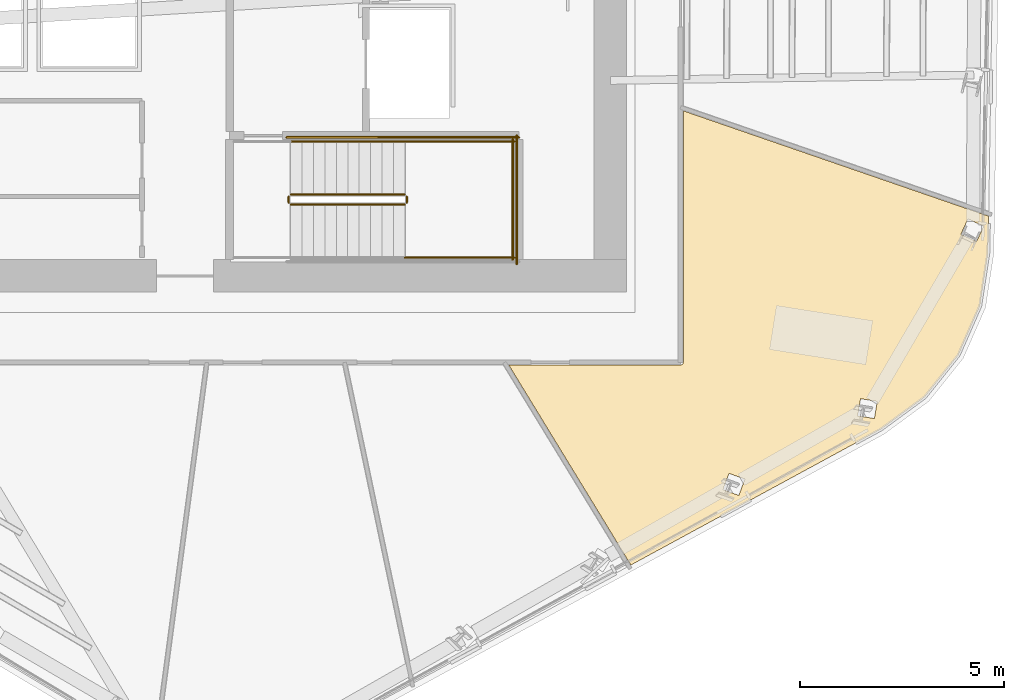
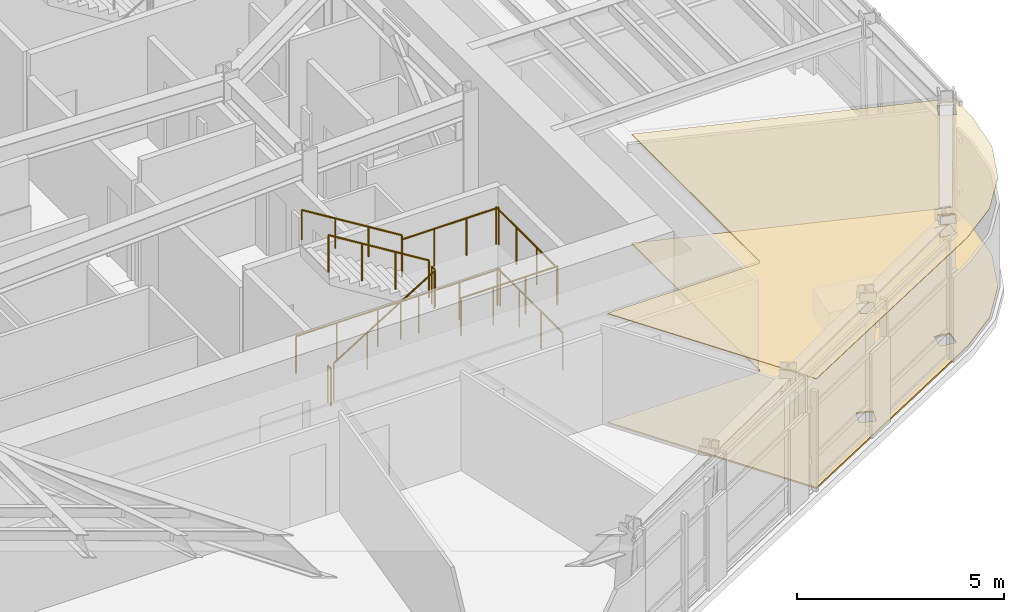
# One storey, part 10 of 14: 10 railings, 2 coverings.
"""IFC4 building model written with IfcOpenShell, lengths in metres."""

from ifc_helpers import new_model, si_unit, direction, frame, origin, origin_2d, place, context, subcontext, project, spatial, polyline, circle, outline, extrude, material, layer, layer_set, type_object, element, save


model = new_model("IFC4")

# Units and contexts
model_context = context("Model", 3, precision=1e-05, world=origin(), true_north=direction((0.0, 1.0)))
body_context = subcontext(model_context, "Body", "Model", "MODEL_VIEW")
ifc_project = project(units=[si_unit("LENGTHUNIT", "METRE"), si_unit("AREAUNIT", "SQUARE_METRE"), si_unit("VOLUMEUNIT", "CUBIC_METRE"), si_unit("PLANEANGLEUNIT", "RADIAN"), si_unit("MASSUNIT", "GRAM", prefix="KILO")], contexts=[model_context])

# Site, building, storey
site_placement = place(None, origin())
site = spatial("IfcSite", under=ifc_project, at=site_placement, CompositionType="ELEMENT")
building_placement = place(site_placement, origin())
building = spatial("IfcBuilding", under=site, at=building_placement, Name="Valkerne Bourse Tower", CompositionType="ELEMENT")
storey_placement = place(building_placement, frame((0.0, 0.0, 147.60009765625)))
storey = spatial("IfcBuildingStorey", under=building, at=storey_placement, Name="L37", CompositionType="ELEMENT", Elevation=147.60009765625)

# Coverings
ifc_material_1 = material(Name="Mineral Fiber Acoustic Ceiling Tile", Category="acoustic")
ifc_layer_1 = layer(ifc_material_1, 0.02490234375)
ifc_layer_set_1 = layer_set([ifc_layer_1], Name="Mineral Fiber Acoustic Ceiling Tile")
covering_type_1 = type_object("IfcCoveringType", Name="COV-CEIL-ACT", PredefinedType="CEILING", material=ifc_layer_set_1)
covering_1_placement = place(storey_placement, frame((0.0, 0.0, 3.22998046875)))
element("IfcCovering", 1, at=covering_1_placement, inside=storey, type_object=covering_type_1, Name="L37 Suspended Ceiling 08", PredefinedType="CEILING", context=body_context, shape_type="SweptSolid", body=[
    extrude(outline(polyline([(63.71826171875, 15.224365234375), (62.6474609375, 14.43798828125), (56.50244140625, 11.100830078125), (53.50537109375, 16.010986328125), (57.720458984375, 16.010986328125), (57.75, 16.017822265625), (57.77587890625, 16.039306640625), (57.7890625, 16.079345703125), (57.7890625, 22.254150390625), (65.288818359375, 19.66748046875), (65.274658203125, 18.77587890625), (65.07373046875, 17.46240234375), (64.54345703125, 16.254150390625), (63.71826171875, 15.224365234375)]), holes=[polyline([(59.1552734375, 12.81103515625), (59.301025390625, 13.208984375), (58.91259765625, 13.352294921875), (58.91064453125, 13.3505859375), (58.764892578125, 12.952880859375), (59.1533203125, 12.809326171875), (59.1552734375, 12.81103515625)]), polyline([(62.552001953125, 15.117919921875), (62.1435546875, 15.185791015625), (62.141845703125, 15.18359375), (62.073486328125, 14.765625), (62.48193359375, 14.69775390625), (62.483642578125, 14.699951171875), (62.552001953125, 15.117919921875)]), polyline([(65.165283203125, 19.423095703125), (64.77880859375, 19.599365234375), (64.607421875, 19.223388671875), (64.606201171875, 19.220947265625), (64.99267578125, 19.044677734375), (65.1640625, 19.42041015625), (65.165283203125, 19.423095703125)])]), origin(), (0.0, 0.0, 1.0), 0.02490234375),
])
ifc_material_2 = material(Name="Galvanised Painted Steel", Category="steel")
ifc_layer_2 = layer(ifc_material_2, 0.044921875)
ifc_layer_set_2 = layer_set([ifc_layer_2], Name="Galvanised Painted Steel")
covering_type_2 = type_object("IfcCoveringType", Name="COV-FLR-RAF", PredefinedType="FLOORING", material=ifc_layer_set_2)
covering_2_placement = place(storey_placement, origin())
element("IfcCovering", 2, at=covering_2_placement, inside=storey, type_object=covering_type_2, Name="L37 Floor Finish 08", PredefinedType="FLOORING", context=body_context, shape_type="SweptSolid", body=[
    extrude(outline(polyline([(63.71826171875, 15.224365234375), (62.6474609375, 14.43798828125), (56.50244140625, 11.100830078125), (53.50537109375, 16.010986328125), (57.720458984375, 16.010986328125), (57.75, 16.017822265625), (57.77587890625, 16.039306640625), (57.7890625, 16.079345703125), (57.7890625, 22.254150390625), (65.288818359375, 19.66748046875), (65.274658203125, 18.77587890625), (65.07373046875, 17.46240234375), (64.54345703125, 16.254150390625), (63.71826171875, 15.224365234375)]), holes=[polyline([(59.1552734375, 12.81103515625), (59.301025390625, 13.208984375), (58.91259765625, 13.352294921875), (58.91064453125, 13.3505859375), (58.764892578125, 12.952880859375), (59.1533203125, 12.809326171875), (59.1552734375, 12.81103515625)]), polyline([(62.552001953125, 15.117919921875), (62.1435546875, 15.185791015625), (62.141845703125, 15.18359375), (62.073486328125, 14.765625), (62.48193359375, 14.69775390625), (62.483642578125, 14.699951171875), (62.552001953125, 15.117919921875)]), polyline([(65.165283203125, 19.423095703125), (64.77880859375, 19.599365234375), (64.607421875, 19.223388671875), (64.606201171875, 19.220947265625), (64.99267578125, 19.044677734375), (65.1640625, 19.42041015625), (65.165283203125, 19.423095703125)])]), origin(), (0.0, 0.0, 1.0), 0.044921875),
])

# Railings
railing_type_1 = type_object("IfcRailingType", Name="RLG-ST-GUARD-1120", PredefinedType="GUARDRAIL", material=ifc_material_2)
railing_1_placement = place(storey_placement, frame((48.14990234375, 19.949951171875, 0.172607421875)))
element("IfcRailing", 3, at=railing_1_placement, inside=storey, type_object=railing_type_1, Name="L37 ST-1 stair guard 1", PredefinedType="GUARDRAIL", context=body_context, shape_type="SweptSolid", body=[
    extrude(circle(Radius=0.02392578125, at=origin_2d()), frame((0.0, 0.0, 1.09619140625), z_axis=(0.851089632645, 0.0, 0.525020415988), x_axis=(0.0, 1.0, 0.0)), (0.0, 0.0, 1.0), 3.2900390625),
    extrude(circle(Radius=0.02099609375, at=origin_2d()), origin(), (0.0, 0.0, 1.0), 1.072021484375),
    extrude(circle(Radius=0.02099609375, at=origin_2d()), frame((0.933349609375, 0.0, 0.57568359375)), (0.0, 0.0, 1.0), 1.072021484375),
    extrude(circle(Radius=0.02099609375, at=origin_2d()), frame((1.86669921875, 0.0, 1.151611328125)), (0.0, 0.0, 1.0), 1.072021484375),
    extrude(circle(Radius=0.02099609375, at=origin_2d()), frame((2.800048828125, 0.0, 1.727294921875)), (0.0, 0.0, 1.0), 1.072021484375),
])
railing_2_placement = place(storey_placement, frame((51.0, 20.0, 1.89990234375)))
element("IfcRailing", 4, at=railing_2_placement, inside=storey, type_object=railing_type_1, Name="L37 ST-1 stair guard 2", PredefinedType="GUARDRAIL", context=body_context, shape_type="SweptSolid", body=[
    extrude(circle(Radius=0.02392578125, at=origin_2d()), frame((0.0, 0.0, 1.09619140625), z_axis=(0.0, 1.0, 0.0), x_axis=(-1.0, 0.0, 0.0)), (0.0, 0.0, 1.0), 0.14990234375),
    extrude(circle(Radius=0.02099609375, at=origin_2d()), origin(), (0.0, 0.0, 1.0), 1.072021484375),
    extrude(circle(Radius=0.02099609375, at=origin_2d()), frame((0.0, 0.14990234375, 0.0)), (0.0, 0.0, 1.0), 1.072021484375),
])
for number, where, name in (
    (5, (50.949951171875, 18.64990234375, 1.89990234375), "L37 ST-1 stair guard 3"),
    (6, (50.949951171875, 21.5, 1.89990234375), "L37 ST-1 stair guard 4"),
):
    element("IfcRailing", number, at=place(storey_placement, frame(where)), inside=storey, type_object=railing_type_1, Name=name, PredefinedType="GUARDRAIL", context=body_context, shape_type="SweptSolid", body=[
        extrude(circle(Radius=0.02392578125, at=origin_2d()), frame((0.0, 0.0, 1.09619140625), z_axis=(1.0, 0.0, 0.0), x_axis=(0.0, 1.0, 0.0)), (0.0, 0.0, 1.0), 2.699951171875),
        extrude(circle(Radius=0.02099609375, at=origin_2d()), origin(), (0.0, 0.0, 1.0), 1.072021484375),
        extrude(circle(Radius=0.02099609375, at=origin_2d()), frame((0.89990234375, 0.0, 0.0)), (0.0, 0.0, 1.0), 1.072021484375),
        extrude(circle(Radius=0.02099609375, at=origin_2d()), frame((1.800048828125, 0.0, 0.0)), (0.0, 0.0, 1.0), 1.072021484375),
        extrude(circle(Radius=0.02099609375, at=origin_2d()), frame((2.699951171875, 0.0, 0.0)), (0.0, 0.0, 1.0), 1.072021484375),
    ])
railing_3_placement = place(storey_placement, frame((53.60009765625, 18.60009765625, 1.89990234375)))
element("IfcRailing", 7, at=railing_3_placement, inside=storey, type_object=railing_type_1, Name="L37 ST-1 stair guard 5", PredefinedType="GUARDRAIL", context=body_context, shape_type="SweptSolid", body=[
    extrude(circle(Radius=0.02392578125, at=origin_2d()), frame((0.0, 0.0, 1.09619140625), z_axis=(0.0, 1.0, 0.0), x_axis=(-1.0, 0.0, 0.0)), (0.0, 0.0, 1.0), 2.949951171875),
    extrude(circle(Radius=0.02099609375, at=origin_2d()), origin(), (0.0, 0.0, 1.0), 1.072021484375),
    extrude(circle(Radius=0.02099609375, at=origin_2d()), frame((0.0, 0.9833984375, 0.0)), (0.0, 0.0, 1.0), 1.072021484375),
    extrude(circle(Radius=0.02099609375, at=origin_2d()), frame((0.0, 1.966552734375, 0.0)), (0.0, 0.0, 1.0), 1.072021484375),
    extrude(circle(Radius=0.02099609375, at=origin_2d()), frame((0.0, 2.949951171875, 0.0)), (0.0, 0.0, 1.0), 1.072021484375),
])
railing_4_placement = place(storey_placement, frame((50.949951171875, 20.199951171875, 2.072509765625)))
element("IfcRailing", 8, at=railing_4_placement, inside=storey, type_object=railing_type_1, Name="L37 ST-1 stair guard 6", PredefinedType="GUARDRAIL", context=body_context, shape_type="SweptSolid", body=[
    extrude(circle(Radius=0.02392578125, at=origin_2d()), frame((0.0, 0.0, 1.09619140625), z_axis=(-0.851089632645, 0.0, 0.525020415988), x_axis=(0.0, -1.0, 0.0)), (0.0, 0.0, 1.0), 3.2900390625),
    extrude(circle(Radius=0.02099609375, at=origin_2d()), origin(), (0.0, 0.0, 1.0), 1.072021484375),
    extrude(circle(Radius=0.02099609375, at=origin_2d()), frame((-0.933349609375, 0.0, 0.57568359375)), (0.0, 0.0, 1.0), 1.072021484375),
    extrude(circle(Radius=0.02099609375, at=origin_2d()), frame((-1.86669921875, 0.0, 1.151611328125)), (0.0, 0.0, 1.0), 1.072021484375),
    extrude(circle(Radius=0.02099609375, at=origin_2d()), frame((-2.800048828125, 0.0, 1.727294921875)), (0.0, 0.0, 1.0), 1.072021484375),
])
railing_5_placement = place(storey_placement, frame((48.10009765625, 20.0, 0.0)))
element("IfcRailing", 9, at=railing_5_placement, inside=storey, type_object=railing_type_1, Name="L37 ST-1 stair guard 7", PredefinedType="GUARDRAIL", context=body_context, shape_type="SweptSolid", body=[
    extrude(circle(Radius=0.02392578125, at=origin_2d()), frame((0.0, 0.0, 1.09619140625), z_axis=(0.0, 1.0, 0.0), x_axis=(-1.0, 0.0, 0.0)), (0.0, 0.0, 1.0), 0.14990234375),
    extrude(circle(Radius=0.02099609375, at=origin_2d()), origin(), (0.0, 0.0, 1.0), 1.072021484375),
    extrude(circle(Radius=0.02099609375, at=origin_2d()), frame((0.0, 0.14990234375, 0.0)), (0.0, 0.0, 1.0), 1.072021484375),
])
railing_6_placement = place(storey_placement, frame((48.050048828125, 21.60009765625, 0.0)))
element("IfcRailing", 10, at=railing_6_placement, inside=storey, type_object=railing_type_1, Name="L37 ST-1 stair guard 11", PredefinedType="GUARDRAIL", context=body_context, shape_type="SweptSolid", body=[
    extrude(circle(Radius=0.02392578125, at=origin_2d()), frame((0.0, 0.0, 1.09619140625), z_axis=(1.0, 0.0, 0.0), x_axis=(0.0, 1.0, 0.0)), (0.0, 0.0, 1.0), 5.699951171875),
    extrude(circle(Radius=0.02099609375, at=origin_2d()), origin(), (0.0, 0.0, 1.0), 1.072021484375),
    extrude(circle(Radius=0.02099609375, at=origin_2d()), frame((1.139892578125, 0.0, 0.0)), (0.0, 0.0, 1.0), 1.072021484375),
    extrude(circle(Radius=0.02099609375, at=origin_2d()), frame((2.280029296875, 0.0, 0.0)), (0.0, 0.0, 1.0), 1.072021484375),
    extrude(circle(Radius=0.02099609375, at=origin_2d()), frame((3.419921875, 0.0, 0.0)), (0.0, 0.0, 1.0), 1.072021484375),
    extrude(circle(Radius=0.02099609375, at=origin_2d()), frame((4.56005859375, 0.0, 0.0)), (0.0, 0.0, 1.0), 1.072021484375),
    extrude(circle(Radius=0.02099609375, at=origin_2d()), frame((5.699951171875, 0.0, 0.0)), (0.0, 0.0, 1.0), 1.072021484375),
])
railing_7_placement = place(storey_placement, frame((53.699951171875, 18.5, 0.0)))
element("IfcRailing", 11, at=railing_7_placement, inside=storey, type_object=railing_type_1, Name="L37 ST-1 stair guard 12", PredefinedType="GUARDRAIL", context=body_context, shape_type="SweptSolid", body=[
    extrude(circle(Radius=0.02392578125, at=origin_2d()), frame((0.0, 0.0, 1.09619140625), z_axis=(0.0, 1.0, 0.0), x_axis=(-1.0, 0.0, 0.0)), (0.0, 0.0, 1.0), 3.14990234375),
    extrude(circle(Radius=0.02099609375, at=origin_2d()), origin(), (0.0, 0.0, 1.0), 1.072021484375),
    extrude(circle(Radius=0.02099609375, at=origin_2d()), frame((0.0, 1.050048828125, 0.0)), (0.0, 0.0, 1.0), 1.072021484375),
    extrude(circle(Radius=0.02099609375, at=origin_2d()), frame((0.0, 2.099853515625, 0.0)), (0.0, 0.0, 1.0), 1.072021484375),
    extrude(circle(Radius=0.02099609375, at=origin_2d()), frame((0.0, 3.14990234375, 0.0)), (0.0, 0.0, 1.0), 1.072021484375),
])
ifc_material_3 = material(Name="Stainless Steel AISI 316", Category="steel")
railing_type_2 = type_object("IfcRailingType", Name="RLG-ST-HANDRAIL-900", PredefinedType="HANDRAIL", material=ifc_material_3)
railing_8_placement = place(storey_placement, frame((50.949951171875, 21.5, 2.245361328125)))
element("IfcRailing", 12, at=railing_8_placement, inside=storey, type_object=railing_type_2, Name="L37 ST-1 stair handrail 2", PredefinedType="HANDRAIL", context=body_context, shape_type="SweptSolid", body=[
    extrude(circle(Radius=0.02392578125, at=origin_2d()), frame((0.0, 0.0, 0.8759765625), z_axis=(-0.851089632645, 0.0, 0.525020415988), x_axis=(0.0, -1.0, 0.0)), (0.0, 0.0, 1.0), 3.2900390625),
    extrude(circle(Radius=0.02099609375, at=origin_2d()), origin(), (0.0, 0.0, 1.0), 0.851806640625),
    extrude(circle(Radius=0.02099609375, at=origin_2d()), frame((-0.933349609375, 0.0, 0.57568359375)), (0.0, 0.0, 1.0), 0.851806640625),
    extrude(circle(Radius=0.02099609375, at=origin_2d()), frame((-1.86669921875, 0.0, 1.151611328125)), (0.0, 0.0, 1.0), 0.851806640625),
    extrude(circle(Radius=0.02099609375, at=origin_2d()), frame((-2.800048828125, 0.0, 1.727294921875)), (0.0, 0.0, 1.0), 0.851806640625),
])

save(model, "model.ifc")
